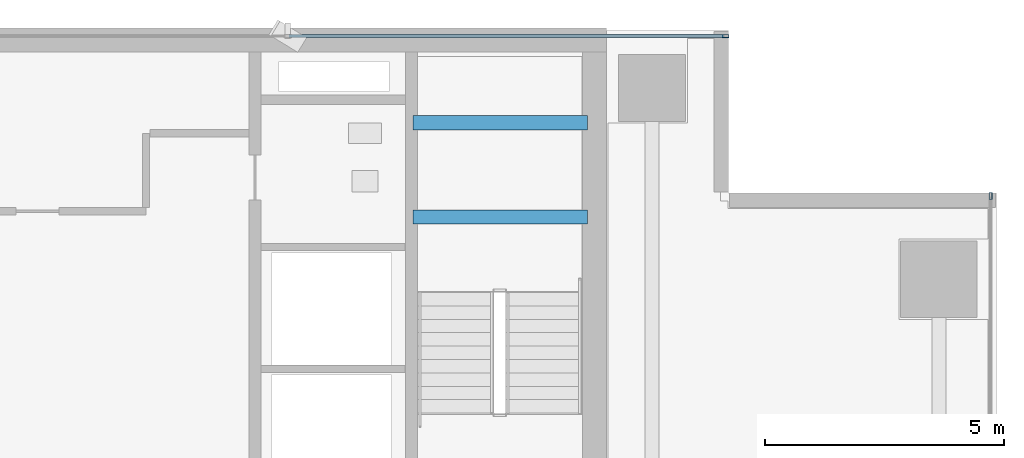
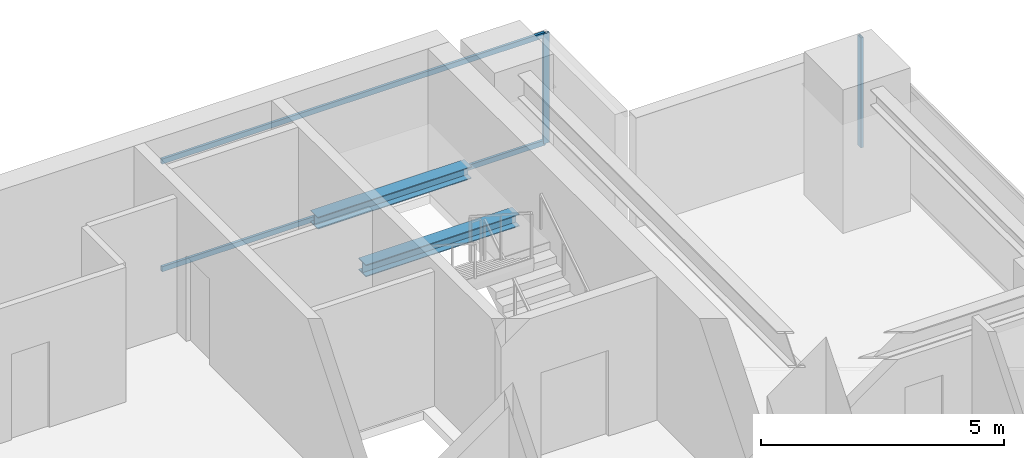
# One storey, part 22 of 29: 4 members, 2 beams, 2 elements without a shape of their own.
"""IFC4 building model written with IfcOpenShell, lengths in metres."""

from ifc_helpers import new_model, si_unit, direction, frame, origin, origin_2d, place, context, subcontext, project, spatial, hollow_rectangle, i_section, extrude, source, transform, mapped, material, layer, layer_set, material_profile, profile_set, type_object, element, aggregate, save


model = new_model("IFC4")

# Units and contexts
model_context = context("Model", 3, precision=1e-05, world=origin(), true_north=direction((0.0, 1.0)))
body_context = subcontext(model_context, "Body", "Model", "MODEL_VIEW")
ifc_project = project(units=[si_unit("LENGTHUNIT", "METRE"), si_unit("AREAUNIT", "SQUARE_METRE"), si_unit("VOLUMEUNIT", "CUBIC_METRE"), si_unit("PLANEANGLEUNIT", "RADIAN"), si_unit("MASSUNIT", "GRAM", prefix="KILO")], contexts=[model_context])

# Site, building, storey
site_placement = place(None, origin())
site = spatial("IfcSite", under=ifc_project, at=site_placement, CompositionType="ELEMENT")
building_placement = place(site_placement, origin())
building = spatial("IfcBuilding", under=site, at=building_placement, Name="Sumidabori Civic Tower", CompositionType="ELEMENT")
storey_placement = place(building_placement, frame((0.0, 0.0, 207.199951171875)))
storey = spatial("IfcBuildingStorey", under=building, at=storey_placement, Name="L53", CompositionType="ELEMENT", Elevation=207.199951171875)

# Beams
ifc_material_1 = material(Name="Steel SN490", Category="steel")
ifc_material_profile_1 = material_profile(ifc_material_1, i_section(OverallWidth=0.300048828125, OverallDepth=0.300048828125, WebThickness=0.010986328125, FlangeThickness=0.01904296875, at=origin_2d()), Name="HE 300 B")
ifc_profile_set_1 = profile_set([ifc_material_profile_1], Name="Steel SN490")
beam_type = type_object("IfcBeamType", Name="BM-LDG-300", PredefinedType="BEAM", material=ifc_profile_set_1)
shared_shape_1 = source(origin(), body_context, "Body", "SweptSolid", [
    extrude(i_section(OverallWidth=0.300048828125, OverallDepth=0.300048828125, WebThickness=0.010986328125, FlangeThickness=0.01904296875, at=origin_2d()), origin(), (0.0, 0.0, 1.0), 3.64990234375),
])
for number, where, z_axis, x_axis, name in (
    (1, (11.800048828125, 20.09765625, 1.449951171875), (1.0, 0.0, 0.0), (0.0, 1.0, 0.0), "Stair ST-2 Landing Support Beam L53-1A"),
    (2, (11.800048828125, 22.069580078125, 1.449951171875), (1.0, 0.0, 0.0), (0.0, 1.0, 0.0), "Stair ST-2 Landing Trimmer Beam L53-1B"),
):
    element("IfcBeam", number, at=place(storey_placement, frame(where, z_axis=z_axis, x_axis=x_axis)), inside=storey, type_object=beam_type, Name=name, PredefinedType="BEAM", context=body_context, shape_type="MappedRepresentation", body=[
        mapped(shared_shape_1, transform((0.0, 0.0, 0.0), x_axis=(1.0, 0.0, 0.0), y_axis=(0.0, 1.0, 0.0), z_axis=(0.0, 0.0, 1.0), scale=1.0)),
    ])

# Curtain wall, member
ifc_material_2 = material(Name="Anodised Bronze Aluminium AW-6063-T6", Category="aluminium")
ifc_layer = layer(ifc_material_2, 0.179931640625, Name="Anodised Bronze Aluminium AW-6063-T6")
ifc_layer_set = layer_set([ifc_layer], Name="Anodised Bronze Aluminium AW-6063-T6")
curtain_wall_type = type_object("IfcCurtainWallType", Name="CW-SYS-5", PredefinedType="NOTDEFINED", material=ifc_layer_set)
curtain_wall_1_placement = place(storey_placement, origin())
curtain_wall_1 = element("IfcCurtainWall", 3, at=curtain_wall_1_placement, inside=storey, type_object=curtain_wall_type, Name="Curtain Wall CW:L53:R10", PredefinedType="NOTDEFINED")
ifc_material_profile_2 = material_profile(ifc_material_2, hollow_rectangle(XDim=0.06005859375, YDim=0.139892578125, WallThickness=0.0048828125, at=origin_2d()), Name="ALU MULLION 140x60")
ifc_profile_set_2 = profile_set([ifc_material_profile_2], Name="Anodised Bronze Aluminium AW-6063-T6")
member_type_1 = type_object("IfcMemberType", Name="CW-MUL-140", PredefinedType="MULLION", material=ifc_profile_set_2)
shared_shape_2 = source(origin(), body_context, "Body", "SweptSolid", [
    extrude(hollow_rectangle(XDim=0.06005859375, YDim=0.139892578125, WallThickness=0.0048828125, at=origin_2d()), origin(), (0.0, 0.0, 1.0), 2.760009765625),
])
member_1_placement = place(storey_placement, frame((23.8798828125, 20.5400390625, 0.0), z_axis=(0.0, 0.0, 1.0), x_axis=(-1.0, 0.0, 0.0)))
member_1 = element("IfcMember", 4, at=member_1_placement, type_object=member_type_1, Name="CW-5 mullion 5", PredefinedType="MULLION", context=body_context, shape_type="MappedRepresentation", body=[
    mapped(shared_shape_2, transform((0.0, 0.0, 0.0), x_axis=(1.0, 0.0, 0.0), y_axis=(0.0, 1.0, 0.0), z_axis=(0.0, 0.0, 1.0), scale=1.0)),
])
aggregate(curtain_wall_1, [member_1])

# Curtain wall, members
curtain_wall_2_placement = place(storey_placement, origin())
curtain_wall_2 = element("IfcCurtainWall", 5, at=curtain_wall_2_placement, inside=storey, type_object=curtain_wall_type, Name="Curtain Wall CW:L53:R13", PredefinedType="NOTDEFINED")
member_2_placement = place(storey_placement, frame((18.340087890625, 23.8798828125, 0.0), z_axis=(0.0, 0.0, 1.0), x_axis=(0.0, -1.0, 0.0)))
member_2 = element("IfcMember", 6, at=member_2_placement, type_object=member_type_1, Name="CW-5 mullion 1", PredefinedType="MULLION", context=body_context, shape_type="MappedRepresentation", body=[
    mapped(shared_shape_2, transform((0.0, 0.0, 0.0), x_axis=(1.0, 0.0, 0.0), y_axis=(0.0, 1.0, 0.0), z_axis=(0.0, 0.0, 1.0), scale=1.0)),
])
ifc_material_profile_3 = material_profile(ifc_material_2, hollow_rectangle(XDim=0.06005859375, YDim=0.1298828125, WallThickness=0.0048828125, at=origin_2d()), Name="ALU TRANSOM 130x60")
ifc_profile_set_3 = profile_set([ifc_material_profile_3], Name="Anodised Bronze Aluminium AW-6063-T6")
member_type_2 = type_object("IfcMemberType", Name="CW-TRN-130", PredefinedType="USERDEFINED", material=ifc_profile_set_3)
shared_shape_3 = source(origin(), body_context, "Body", "SweptSolid", [
    extrude(hollow_rectangle(XDim=0.06005859375, YDim=0.1298828125, WallThickness=0.0048828125, at=origin_2d()), origin(), (0.0, 0.0, 1.0), 9.094970703125),
])
member_3_placement = place(storey_placement, frame((18.31005859375, 23.8798828125, 0.030029296875), z_axis=(-1.0, 0.0, 0.0), x_axis=(0.0, -1.0, 0.0)))
member_3 = element("IfcMember", 7, at=member_3_placement, type_object=member_type_2, Name="CW-5 transom 1.1", ObjectType="TRANSOM", PredefinedType="USERDEFINED", context=body_context, shape_type="MappedRepresentation", body=[
    mapped(shared_shape_3, transform((0.0, 0.0, 0.0), x_axis=(1.0, 0.0, 0.0), y_axis=(0.0, 1.0, 0.0), z_axis=(0.0, 0.0, 1.0), scale=1.0)),
])
member_4_placement = place(storey_placement, frame((18.31005859375, 23.8798828125, 2.72998046875), z_axis=(-1.0, 0.0, 0.0), x_axis=(0.0, -1.0, 0.0)))
member_4 = element("IfcMember", 8, at=member_4_placement, type_object=member_type_2, Name="CW-5 transom 1.2", ObjectType="TRANSOM", PredefinedType="USERDEFINED", context=body_context, shape_type="MappedRepresentation", body=[
    mapped(shared_shape_3, transform((0.0, 0.0, 0.0), x_axis=(1.0, 0.0, 0.0), y_axis=(0.0, 1.0, 0.0), z_axis=(0.0, 0.0, 1.0), scale=1.0)),
])
aggregate(curtain_wall_2, [member_2, member_3, member_4])

save(model, "model.ifc")
